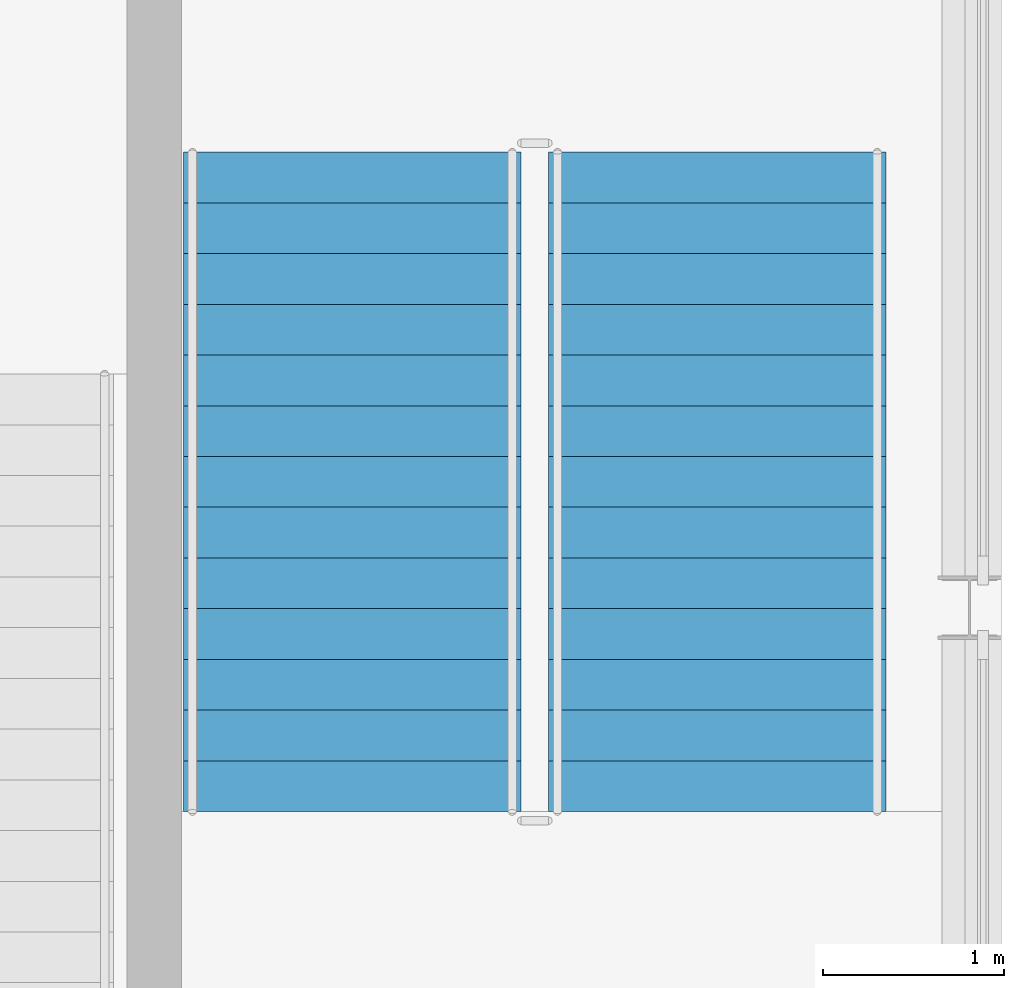
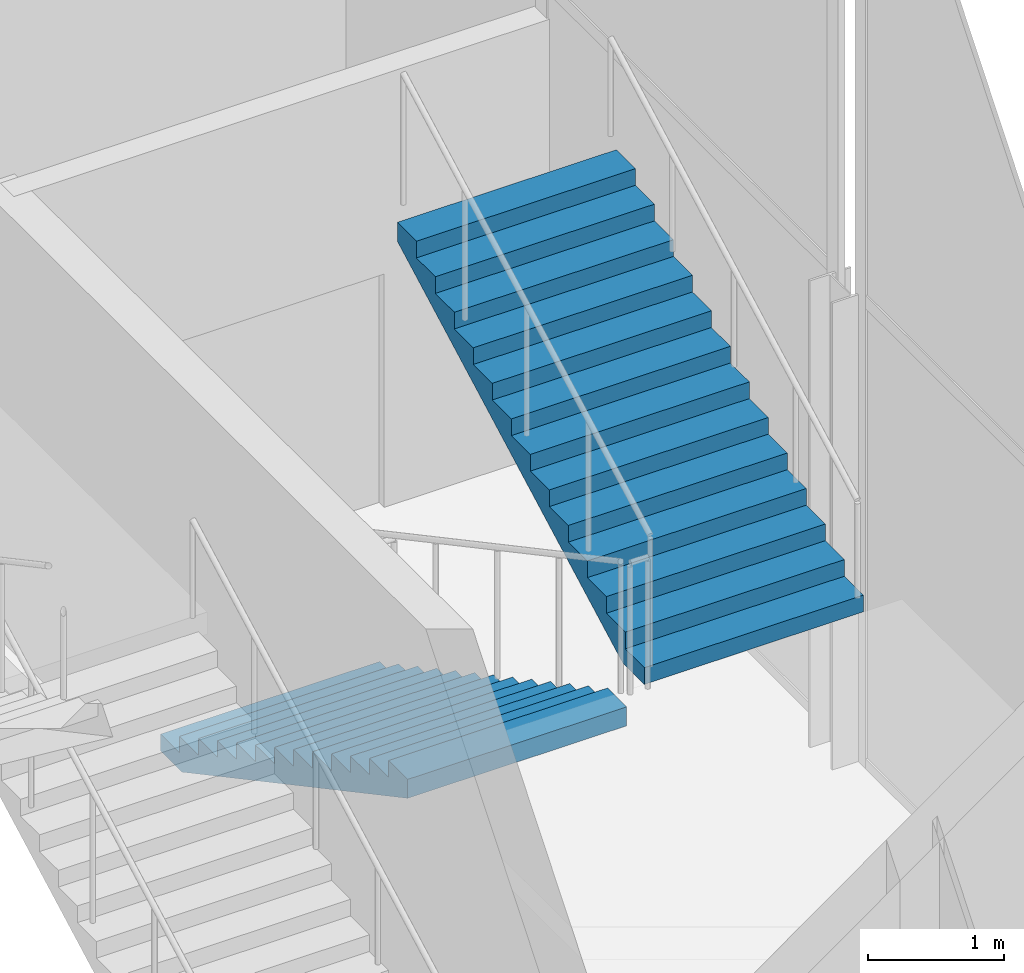
# One storey, part 19 of 23: 2 stair flights, 1 element without a shape of its own.
"""IFC4 building model written with IfcOpenShell, lengths in metres."""

from ifc_helpers import new_model, si_unit, direction, frame, origin, place, context, subcontext, project, spatial, polygons, material, type_object, element, aggregate, save


model = new_model("IFC4")

# Units and contexts
model_context = context("Model", 3, precision=1e-05, world=origin(), true_north=direction((0.0, 1.0)))
body_context = subcontext(model_context, "Body", "Model", "MODEL_VIEW")
ifc_project = project(units=[si_unit("LENGTHUNIT", "METRE"), si_unit("AREAUNIT", "SQUARE_METRE"), si_unit("VOLUMEUNIT", "CUBIC_METRE"), si_unit("PLANEANGLEUNIT", "RADIAN"), si_unit("MASSUNIT", "GRAM", prefix="KILO")], contexts=[model_context])

# Site, building, storey
site_placement = place(None, origin())
site = spatial("IfcSite", under=ifc_project, at=site_placement, CompositionType="ELEMENT")
building_placement = place(site_placement, origin())
building = spatial("IfcBuilding", under=site, at=building_placement, Name="Caravel Reach Hotel and Residences", CompositionType="ELEMENT")
storey_placement = place(building_placement, frame((0.0, 0.0, 312.800048828125)))
storey = spatial("IfcBuildingStorey", under=building, at=storey_placement, Name="L79", CompositionType="ELEMENT", Elevation=312.800048828125)

# Stair, stair flights
ifc_material_1 = material(Name="Concrete C40", Category="concrete")
stair_type = type_object("IfcStairType", Name="Core stair", PredefinedType="HALF_TURN_STAIR", material=ifc_material_1)
stair_placement = place(storey_placement, origin())
stair = element("IfcStair", 1, at=stair_placement, inside=storey, type_object=stair_type, Name="L79 Exit stair C", PredefinedType="HALF_TURN_STAIR")
ifc_material_2 = material(Name="Concrete C40", Category="concrete")
stair_flight_type = type_object("IfcStairFlightType", Name="Core stair flight", PredefinedType="STRAIGHT", material=ifc_material_2)
stair_flight_1_placement = place(storey_placement, frame((46.092529296875, 29.514892578125, 0.0), z_axis=(0.0, 0.0, 1.0), x_axis=(0.0, -1.0, 0.0)))
stair_flight_1 = element("IfcStairFlight", 2, at=stair_flight_1_placement, type_object=stair_flight_type, Name="ST-C flight 1", NumberOfRisers=14, NumberOfTreads=13, PredefinedType="STRAIGHT", RiserHeight=0.15, TreadLength=0.28, context=body_context, shape_type="Tessellation", body=[
    polygons([(0.3174408016601862, 0.9324951171875, 0.0), (0.3174408016601862, 0.6216634114583333, 0.0), (0.3174408016601862, 0.31083170572916663, 0.0), (0.3174408016601862, 0.0, 0.0), (0.3174408016601862, -0.31083170572916674, 0.0), (0.3174408016601862, -0.6216634114583333, 0.0), (0.3174408016601862, -0.9324951171875, 0.0), (3.6410000000000005, 0.9324951171875, 1.7799424276820432), (3.6410000000000005, 0.6216634114583333, 1.7799424276820432), (3.6410000000000005, 0.31083170572916663, 1.7799424276820432), (3.6410000000000005, 0.0, 1.7799424276820432), (3.6410000000000005, -0.31083170572916674, 1.7799424276820432), (3.6410000000000005, -0.6216634114583333, 1.7799424276820432), (3.6410000000000005, -0.9324951171875, 1.7799424276820432), (3.6410000000000005, 0.9324951171875, 1.95), (3.6410000000000005, 0.6216634114583333, 1.95), (3.6410000000000005, 0.31083170572916663, 1.95), (3.6410000000000005, 0.0, 1.95), (3.6410000000000005, -0.31083170572916674, 1.95), (3.6410000000000005, -0.6216634114583333, 1.95), (3.6410000000000005, -0.9324951171875, 1.95), (3.3600000000000003, 0.9324951171875, 1.95), (3.3600000000000003, 0.6216634114583333, 1.95), (3.3600000000000003, 0.31083170572916663, 1.95), (3.3600000000000003, 0.0, 1.95), (3.3600000000000003, -0.31083170572916674, 1.95), (3.3600000000000003, -0.6216634114583333, 1.95), (3.3600000000000003, -0.9324951171875, 1.95), (3.3600000000000003, 0.9324951171875, 1.7999999999999998), (3.3600000000000003, 0.6216634114583333, 1.7999999999999998), (3.3600000000000003, 0.31083170572916663, 1.7999999999999998), (3.3600000000000003, 0.0, 1.7999999999999998), (3.3600000000000003, -0.31083170572916674, 1.7999999999999998), (3.3600000000000003, -0.6216634114583333, 1.7999999999999998), (3.3600000000000003, -0.9324951171875, 1.7999999999999998), (3.08, 0.9324951171875, 1.7999999999999998), (3.08, 0.6216634114583333, 1.7999999999999998), (3.08, 0.31083170572916663, 1.7999999999999998), (3.08, 0.0, 1.7999999999999998), (3.08, -0.31083170572916674, 1.7999999999999998), (3.08, -0.6216634114583333, 1.7999999999999998), (3.08, -0.9324951171875, 1.7999999999999998), (3.08, 0.9324951171875, 1.65), (3.08, 0.6216634114583333, 1.65), (3.08, 0.31083170572916663, 1.65), (3.08, 0.0, 1.65), (3.08, -0.31083170572916674, 1.65), (3.08, -0.6216634114583333, 1.65), (3.08, -0.9324951171875, 1.65), (2.8000000000000003, 0.9324951171875, 1.65), (2.8000000000000003, 0.6216634114583333, 1.65), (2.8000000000000003, 0.31083170572916663, 1.65), (2.8000000000000003, 0.0, 1.65), (2.8000000000000003, -0.31083170572916674, 1.65), (2.8000000000000003, -0.6216634114583333, 1.65), (2.8000000000000003, -0.9324951171875, 1.65), (2.8000000000000003, 0.9324951171875, 1.5), (2.8000000000000003, 0.6216634114583333, 1.5), (2.8000000000000003, 0.31083170572916663, 1.5), (2.8000000000000003, 0.0, 1.5), (2.8000000000000003, -0.31083170572916674, 1.5), (2.8000000000000003, -0.6216634114583333, 1.5), (2.8000000000000003, -0.9324951171875, 1.5), (2.5200000000000005, 0.9324951171875, 1.5), (2.5200000000000005, 0.6216634114583333, 1.5), (2.5200000000000005, 0.31083170572916663, 1.5), (2.5200000000000005, 0.0, 1.5), (2.5200000000000005, -0.31083170572916674, 1.5), (2.5200000000000005, -0.6216634114583333, 1.5), (2.5200000000000005, -0.9324951171875, 1.5), (2.5200000000000005, 0.9324951171875, 1.3499999999999999), (2.5200000000000005, 0.6216634114583333, 1.3499999999999999), (2.5200000000000005, 0.31083170572916663, 1.3499999999999999), (2.5200000000000005, 0.0, 1.3499999999999999), (2.5200000000000005, -0.31083170572916674, 1.3499999999999999), (2.5200000000000005, -0.6216634114583333, 1.3499999999999999), (2.5200000000000005, -0.9324951171875, 1.3499999999999999), (2.24, 0.9324951171875, 1.3499999999999999), (2.24, 0.6216634114583333, 1.3499999999999999), (2.24, 0.31083170572916663, 1.3499999999999999), (2.24, 0.0, 1.3499999999999999), (2.24, -0.31083170572916674, 1.3499999999999999), (2.24, -0.6216634114583333, 1.3499999999999999), (2.24, -0.9324951171875, 1.3499999999999999), (2.24, 0.9324951171875, 1.2), (2.24, 0.6216634114583333, 1.2), (2.24, 0.31083170572916663, 1.2), (2.24, 0.0, 1.2), (2.24, -0.31083170572916674, 1.2), (2.24, -0.6216634114583333, 1.2), (2.24, -0.9324951171875, 1.2), (1.9600000000000002, 0.9324951171875, 1.2), (1.9600000000000002, 0.6216634114583333, 1.2), (1.9600000000000002, 0.31083170572916663, 1.2), (1.9600000000000002, 0.0, 1.2), (1.9600000000000002, -0.31083170572916674, 1.2), (1.9600000000000002, -0.6216634114583333, 1.2), (1.9600000000000002, -0.9324951171875, 1.2), (1.9600000000000002, 0.9324951171875, 1.05), (1.9600000000000002, 0.6216634114583333, 1.05), (1.9600000000000002, 0.31083170572916663, 1.05), (1.9600000000000002, 0.0, 1.05), (1.9600000000000002, -0.31083170572916674, 1.05), (1.9600000000000002, -0.6216634114583333, 1.05), (1.9600000000000002, -0.9324951171875, 1.05), (1.6800000000000002, 0.9324951171875, 1.05), (1.6800000000000002, 0.6216634114583333, 1.05), (1.6800000000000002, 0.31083170572916663, 1.05), (1.6800000000000002, 0.0, 1.05), (1.6800000000000002, -0.31083170572916674, 1.05), (1.6800000000000002, -0.6216634114583333, 1.05), (1.6800000000000002, -0.9324951171875, 1.05), (1.6800000000000002, 0.9324951171875, 0.8999999999999999), (1.6800000000000002, 0.6216634114583333, 0.8999999999999999), (1.6800000000000002, 0.31083170572916663, 0.8999999999999999), (1.6800000000000002, 0.0, 0.8999999999999999), (1.6800000000000002, -0.31083170572916674, 0.8999999999999999), (1.6800000000000002, -0.6216634114583333, 0.8999999999999999), (1.6800000000000002, -0.9324951171875, 0.8999999999999999), (1.4000000000000001, 0.9324951171875, 0.8999999999999999), (1.4000000000000001, 0.6216634114583333, 0.8999999999999999), (1.4000000000000001, 0.31083170572916663, 0.8999999999999999), (1.4000000000000001, 0.0, 0.8999999999999999), (1.4000000000000001, -0.31083170572916674, 0.8999999999999999), (1.4000000000000001, -0.6216634114583333, 0.8999999999999999), (1.4000000000000001, -0.9324951171875, 0.8999999999999999), (1.4000000000000001, 0.9324951171875, 0.75), (1.4000000000000001, 0.6216634114583333, 0.75), (1.4000000000000001, 0.31083170572916663, 0.75), (1.4000000000000001, 0.0, 0.75), (1.4000000000000001, -0.31083170572916674, 0.75), (1.4000000000000001, -0.6216634114583333, 0.75), (1.4000000000000001, -0.9324951171875, 0.75), (1.12, 0.9324951171875, 0.75), (1.12, 0.6216634114583333, 0.75), (1.12, 0.31083170572916663, 0.75), (1.12, 0.0, 0.75), (1.12, -0.31083170572916674, 0.75), (1.12, -0.6216634114583333, 0.75), (1.12, -0.9324951171875, 0.75), (1.12, 0.9324951171875, 0.6), (1.12, 0.6216634114583333, 0.6), (1.12, 0.31083170572916663, 0.6), (1.12, 0.0, 0.6), (1.12, -0.31083170572916674, 0.6), (1.12, -0.6216634114583333, 0.6), (1.12, -0.9324951171875, 0.6), (0.8400000000000001, 0.9324951171875, 0.6), (0.8400000000000001, 0.6216634114583333, 0.6), (0.8400000000000001, 0.31083170572916663, 0.6), (0.8400000000000001, 0.0, 0.6), (0.8400000000000001, -0.31083170572916674, 0.6), (0.8400000000000001, -0.6216634114583333, 0.6), (0.8400000000000001, -0.9324951171875, 0.6), (0.8400000000000001, 0.9324951171875, 0.44999999999999996), (0.8400000000000001, 0.6216634114583333, 0.44999999999999996), (0.8400000000000001, 0.31083170572916663, 0.44999999999999996), (0.8400000000000001, 0.0, 0.44999999999999996), (0.8400000000000001, -0.31083170572916674, 0.44999999999999996), (0.8400000000000001, -0.6216634114583333, 0.44999999999999996), (0.8400000000000001, -0.9324951171875, 0.44999999999999996), (0.56, 0.9324951171875, 0.44999999999999996), (0.56, 0.6216634114583333, 0.44999999999999996), (0.56, 0.31083170572916663, 0.44999999999999996), (0.56, 0.0, 0.44999999999999996), (0.56, -0.31083170572916674, 0.44999999999999996), (0.56, -0.6216634114583333, 0.44999999999999996), (0.56, -0.9324951171875, 0.44999999999999996), (0.56, 0.9324951171875, 0.3), (0.56, 0.6216634114583333, 0.3), (0.56, 0.31083170572916663, 0.3), (0.56, 0.0, 0.3), (0.56, -0.31083170572916674, 0.3), (0.56, -0.6216634114583333, 0.3), (0.56, -0.9324951171875, 0.3), (0.28, 0.9324951171875, 0.3), (0.28, 0.6216634114583333, 0.3), (0.28, 0.31083170572916663, 0.3), (0.28, 0.0, 0.3), (0.28, -0.31083170572916674, 0.3), (0.28, -0.6216634114583333, 0.3), (0.28, -0.9324951171875, 0.3), (0.28, 0.9324951171875, 0.15), (0.28, 0.6216634114583333, 0.15), (0.28, 0.31083170572916663, 0.15), (0.28, 0.0, 0.15), (0.28, -0.31083170572916674, 0.15), (0.28, -0.6216634114583333, 0.15), (0.28, -0.9324951171875, 0.15), (-0.001, 0.9324951171875, 0.15), (-0.001, 0.6216634114583333, 0.15), (-0.001, 0.31083170572916663, 0.15), (-0.001, 0.0, 0.15), (-0.001, -0.31083170572916674, 0.15), (-0.001, -0.6216634114583333, 0.15), (-0.001, -0.9324951171875, 0.15), (-0.001, 0.9324951171875, 0.0), (-0.001, 0.6216634114583333, 0.0), (-0.001, 0.31083170572916663, 0.0), (-0.001, 0.0, 0.0), (-0.001, -0.31083170572916674, 0.0), (-0.001, -0.6216634114583333, 0.0), (-0.001, -0.9324951171875, 0.0)], [[[197, 190, 183, 176, 169, 162, 155, 148, 141, 134, 127, 120, 113, 106, 99, 92, 85, 78, 71, 64, 57, 50, 43, 36, 29, 22, 15, 8, 1]], [[7, 14, 21, 28, 35, 42, 49, 56, 63, 70, 77, 84, 91, 98, 105, 112, 119, 126, 133, 140, 147, 154, 161, 168, 175, 182, 189, 196, 203]], [[1, 8, 9, 2]], [[2, 9, 10, 3]], [[3, 10, 11, 4]], [[4, 11, 12, 5]], [[5, 12, 13, 6]], [[6, 13, 14, 7]], [[8, 15, 16, 9]], [[9, 16, 17, 10]], [[10, 17, 18, 11]], [[11, 18, 19, 12]], [[12, 19, 20, 13]], [[13, 20, 21, 14]], [[15, 22, 23, 16]], [[16, 23, 24, 17]], [[17, 24, 25, 18]], [[18, 25, 26, 19]], [[19, 26, 27, 20]], [[20, 27, 28, 21]], [[22, 29, 30, 23]], [[23, 30, 31, 24]], [[24, 31, 32, 25]], [[25, 32, 33, 26]], [[26, 33, 34, 27]], [[27, 34, 35, 28]], [[29, 36, 37, 30]], [[30, 37, 38, 31]], [[31, 38, 39, 32]], [[32, 39, 40, 33]], [[33, 40, 41, 34]], [[34, 41, 42, 35]], [[36, 43, 44, 37]], [[37, 44, 45, 38]], [[38, 45, 46, 39]], [[39, 46, 47, 40]], [[40, 47, 48, 41]], [[41, 48, 49, 42]], [[43, 50, 51, 44]], [[44, 51, 52, 45]], [[45, 52, 53, 46]], [[46, 53, 54, 47]], [[47, 54, 55, 48]], [[48, 55, 56, 49]], [[50, 57, 58, 51]], [[51, 58, 59, 52]], [[52, 59, 60, 53]], [[53, 60, 61, 54]], [[54, 61, 62, 55]], [[55, 62, 63, 56]], [[57, 64, 65, 58]], [[58, 65, 66, 59]], [[59, 66, 67, 60]], [[60, 67, 68, 61]], [[61, 68, 69, 62]], [[62, 69, 70, 63]], [[64, 71, 72, 65]], [[65, 72, 73, 66]], [[66, 73, 74, 67]], [[67, 74, 75, 68]], [[68, 75, 76, 69]], [[69, 76, 77, 70]], [[71, 78, 79, 72]], [[72, 79, 80, 73]], [[73, 80, 81, 74]], [[74, 81, 82, 75]], [[75, 82, 83, 76]], [[76, 83, 84, 77]], [[78, 85, 86, 79]], [[79, 86, 87, 80]], [[80, 87, 88, 81]], [[81, 88, 89, 82]], [[82, 89, 90, 83]], [[83, 90, 91, 84]], [[85, 92, 93, 86]], [[86, 93, 94, 87]], [[87, 94, 95, 88]], [[88, 95, 96, 89]], [[89, 96, 97, 90]], [[90, 97, 98, 91]], [[92, 99, 100, 93]], [[93, 100, 101, 94]], [[94, 101, 102, 95]], [[95, 102, 103, 96]], [[96, 103, 104, 97]], [[97, 104, 105, 98]], [[99, 106, 107, 100]], [[100, 107, 108, 101]], [[101, 108, 109, 102]], [[102, 109, 110, 103]], [[103, 110, 111, 104]], [[104, 111, 112, 105]], [[106, 113, 114, 107]], [[107, 114, 115, 108]], [[108, 115, 116, 109]], [[109, 116, 117, 110]], [[110, 117, 118, 111]], [[111, 118, 119, 112]], [[113, 120, 121, 114]], [[114, 121, 122, 115]], [[115, 122, 123, 116]], [[116, 123, 124, 117]], [[117, 124, 125, 118]], [[118, 125, 126, 119]], [[120, 127, 128, 121]], [[121, 128, 129, 122]], [[122, 129, 130, 123]], [[123, 130, 131, 124]], [[124, 131, 132, 125]], [[125, 132, 133, 126]], [[127, 134, 135, 128]], [[128, 135, 136, 129]], [[129, 136, 137, 130]], [[130, 137, 138, 131]], [[131, 138, 139, 132]], [[132, 139, 140, 133]], [[134, 141, 142, 135]], [[135, 142, 143, 136]], [[136, 143, 144, 137]], [[137, 144, 145, 138]], [[138, 145, 146, 139]], [[139, 146, 147, 140]], [[141, 148, 149, 142]], [[142, 149, 150, 143]], [[143, 150, 151, 144]], [[144, 151, 152, 145]], [[145, 152, 153, 146]], [[146, 153, 154, 147]], [[148, 155, 156, 149]], [[149, 156, 157, 150]], [[150, 157, 158, 151]], [[151, 158, 159, 152]], [[152, 159, 160, 153]], [[153, 160, 161, 154]], [[155, 162, 163, 156]], [[156, 163, 164, 157]], [[157, 164, 165, 158]], [[158, 165, 166, 159]], [[159, 166, 167, 160]], [[160, 167, 168, 161]], [[162, 169, 170, 163]], [[163, 170, 171, 164]], [[164, 171, 172, 165]], [[165, 172, 173, 166]], [[166, 173, 174, 167]], [[167, 174, 175, 168]], [[169, 176, 177, 170]], [[170, 177, 178, 171]], [[171, 178, 179, 172]], [[172, 179, 180, 173]], [[173, 180, 181, 174]], [[174, 181, 182, 175]], [[176, 183, 184, 177]], [[177, 184, 185, 178]], [[178, 185, 186, 179]], [[179, 186, 187, 180]], [[180, 187, 188, 181]], [[181, 188, 189, 182]], [[183, 190, 191, 184]], [[184, 191, 192, 185]], [[185, 192, 193, 186]], [[186, 193, 194, 187]], [[187, 194, 195, 188]], [[188, 195, 196, 189]], [[190, 197, 198, 191]], [[191, 198, 199, 192]], [[192, 199, 200, 193]], [[193, 200, 201, 194]], [[194, 201, 202, 195]], [[195, 202, 203, 196]], [[197, 1, 2, 198]], [[198, 2, 3, 199]], [[199, 3, 4, 200]], [[200, 4, 5, 201]], [[201, 5, 6, 202]], [[202, 6, 7, 203]]], closed=True),
])
stair_flight_2_placement = place(storey_placement, frame((48.107421875, 25.875, 2.099853515625), z_axis=(0.0, 0.0, 1.0), x_axis=(0.0, 1.0, 0.0)))
stair_flight_2 = element("IfcStairFlight", 3, at=stair_flight_2_placement, type_object=stair_flight_type, Name="ST-C flight 2", NumberOfRisers=14, NumberOfTreads=13, PredefinedType="STRAIGHT", RiserHeight=0.15, TreadLength=0.28, context=body_context, shape_type="Tessellation", body=[
    polygons([(0.3174408016601862, 0.9324951171875, 0.0), (0.3174408016601862, 0.6216634114583333, 0.0), (0.3174408016601862, 0.31083170572916663, 0.0), (0.3174408016601862, 0.0, 0.0), (0.3174408016601862, -0.31083170572916674, 0.0), (0.3174408016601862, -0.6216634114583333, 0.0), (0.3174408016601862, -0.9324951171875, 0.0), (3.6410000000000005, 0.9324951171875, 1.7799424276820432), (3.6410000000000005, 0.6216634114583333, 1.7799424276820432), (3.6410000000000005, 0.31083170572916663, 1.7799424276820432), (3.6410000000000005, 0.0, 1.7799424276820432), (3.6410000000000005, -0.31083170572916674, 1.7799424276820432), (3.6410000000000005, -0.6216634114583333, 1.7799424276820432), (3.6410000000000005, -0.9324951171875, 1.7799424276820432), (3.6410000000000005, 0.9324951171875, 1.95), (3.6410000000000005, 0.6216634114583333, 1.95), (3.6410000000000005, 0.31083170572916663, 1.95), (3.6410000000000005, 0.0, 1.95), (3.6410000000000005, -0.31083170572916674, 1.95), (3.6410000000000005, -0.6216634114583333, 1.95), (3.6410000000000005, -0.9324951171875, 1.95), (3.3600000000000003, 0.9324951171875, 1.95), (3.3600000000000003, 0.6216634114583333, 1.95), (3.3600000000000003, 0.31083170572916663, 1.95), (3.3600000000000003, 0.0, 1.95), (3.3600000000000003, -0.31083170572916674, 1.95), (3.3600000000000003, -0.6216634114583333, 1.95), (3.3600000000000003, -0.9324951171875, 1.95), (3.3600000000000003, 0.9324951171875, 1.7999999999999998), (3.3600000000000003, 0.6216634114583333, 1.7999999999999998), (3.3600000000000003, 0.31083170572916663, 1.7999999999999998), (3.3600000000000003, 0.0, 1.7999999999999998), (3.3600000000000003, -0.31083170572916674, 1.7999999999999998), (3.3600000000000003, -0.6216634114583333, 1.7999999999999998), (3.3600000000000003, -0.9324951171875, 1.7999999999999998), (3.08, 0.9324951171875, 1.7999999999999998), (3.08, 0.6216634114583333, 1.7999999999999998), (3.08, 0.31083170572916663, 1.7999999999999998), (3.08, 0.0, 1.7999999999999998), (3.08, -0.31083170572916674, 1.7999999999999998), (3.08, -0.6216634114583333, 1.7999999999999998), (3.08, -0.9324951171875, 1.7999999999999998), (3.08, 0.9324951171875, 1.65), (3.08, 0.6216634114583333, 1.65), (3.08, 0.31083170572916663, 1.65), (3.08, 0.0, 1.65), (3.08, -0.31083170572916674, 1.65), (3.08, -0.6216634114583333, 1.65), (3.08, -0.9324951171875, 1.65), (2.8000000000000003, 0.9324951171875, 1.65), (2.8000000000000003, 0.6216634114583333, 1.65), (2.8000000000000003, 0.31083170572916663, 1.65), (2.8000000000000003, 0.0, 1.65), (2.8000000000000003, -0.31083170572916674, 1.65), (2.8000000000000003, -0.6216634114583333, 1.65), (2.8000000000000003, -0.9324951171875, 1.65), (2.8000000000000003, 0.9324951171875, 1.5), (2.8000000000000003, 0.6216634114583333, 1.5), (2.8000000000000003, 0.31083170572916663, 1.5), (2.8000000000000003, 0.0, 1.5), (2.8000000000000003, -0.31083170572916674, 1.5), (2.8000000000000003, -0.6216634114583333, 1.5), (2.8000000000000003, -0.9324951171875, 1.5), (2.5200000000000005, 0.9324951171875, 1.5), (2.5200000000000005, 0.6216634114583333, 1.5), (2.5200000000000005, 0.31083170572916663, 1.5), (2.5200000000000005, 0.0, 1.5), (2.5200000000000005, -0.31083170572916674, 1.5), (2.5200000000000005, -0.6216634114583333, 1.5), (2.5200000000000005, -0.9324951171875, 1.5), (2.5200000000000005, 0.9324951171875, 1.3499999999999999), (2.5200000000000005, 0.6216634114583333, 1.3499999999999999), (2.5200000000000005, 0.31083170572916663, 1.3499999999999999), (2.5200000000000005, 0.0, 1.3499999999999999), (2.5200000000000005, -0.31083170572916674, 1.3499999999999999), (2.5200000000000005, -0.6216634114583333, 1.3499999999999999), (2.5200000000000005, -0.9324951171875, 1.3499999999999999), (2.24, 0.9324951171875, 1.3499999999999999), (2.24, 0.6216634114583333, 1.3499999999999999), (2.24, 0.31083170572916663, 1.3499999999999999), (2.24, 0.0, 1.3499999999999999), (2.24, -0.31083170572916674, 1.3499999999999999), (2.24, -0.6216634114583333, 1.3499999999999999), (2.24, -0.9324951171875, 1.3499999999999999), (2.24, 0.9324951171875, 1.2), (2.24, 0.6216634114583333, 1.2), (2.24, 0.31083170572916663, 1.2), (2.24, 0.0, 1.2), (2.24, -0.31083170572916674, 1.2), (2.24, -0.6216634114583333, 1.2), (2.24, -0.9324951171875, 1.2), (1.9600000000000002, 0.9324951171875, 1.2), (1.9600000000000002, 0.6216634114583333, 1.2), (1.9600000000000002, 0.31083170572916663, 1.2), (1.9600000000000002, 0.0, 1.2), (1.9600000000000002, -0.31083170572916674, 1.2), (1.9600000000000002, -0.6216634114583333, 1.2), (1.9600000000000002, -0.9324951171875, 1.2), (1.9600000000000002, 0.9324951171875, 1.05), (1.9600000000000002, 0.6216634114583333, 1.05), (1.9600000000000002, 0.31083170572916663, 1.05), (1.9600000000000002, 0.0, 1.05), (1.9600000000000002, -0.31083170572916674, 1.05), (1.9600000000000002, -0.6216634114583333, 1.05), (1.9600000000000002, -0.9324951171875, 1.05), (1.6800000000000002, 0.9324951171875, 1.05), (1.6800000000000002, 0.6216634114583333, 1.05), (1.6800000000000002, 0.31083170572916663, 1.05), (1.6800000000000002, 0.0, 1.05), (1.6800000000000002, -0.31083170572916674, 1.05), (1.6800000000000002, -0.6216634114583333, 1.05), (1.6800000000000002, -0.9324951171875, 1.05), (1.6800000000000002, 0.9324951171875, 0.8999999999999999), (1.6800000000000002, 0.6216634114583333, 0.8999999999999999), (1.6800000000000002, 0.31083170572916663, 0.8999999999999999), (1.6800000000000002, 0.0, 0.8999999999999999), (1.6800000000000002, -0.31083170572916674, 0.8999999999999999), (1.6800000000000002, -0.6216634114583333, 0.8999999999999999), (1.6800000000000002, -0.9324951171875, 0.8999999999999999), (1.4000000000000001, 0.9324951171875, 0.8999999999999999), (1.4000000000000001, 0.6216634114583333, 0.8999999999999999), (1.4000000000000001, 0.31083170572916663, 0.8999999999999999), (1.4000000000000001, 0.0, 0.8999999999999999), (1.4000000000000001, -0.31083170572916674, 0.8999999999999999), (1.4000000000000001, -0.6216634114583333, 0.8999999999999999), (1.4000000000000001, -0.9324951171875, 0.8999999999999999), (1.4000000000000001, 0.9324951171875, 0.75), (1.4000000000000001, 0.6216634114583333, 0.75), (1.4000000000000001, 0.31083170572916663, 0.75), (1.4000000000000001, 0.0, 0.75), (1.4000000000000001, -0.31083170572916674, 0.75), (1.4000000000000001, -0.6216634114583333, 0.75), (1.4000000000000001, -0.9324951171875, 0.75), (1.12, 0.9324951171875, 0.75), (1.12, 0.6216634114583333, 0.75), (1.12, 0.31083170572916663, 0.75), (1.12, 0.0, 0.75), (1.12, -0.31083170572916674, 0.75), (1.12, -0.6216634114583333, 0.75), (1.12, -0.9324951171875, 0.75), (1.12, 0.9324951171875, 0.6), (1.12, 0.6216634114583333, 0.6), (1.12, 0.31083170572916663, 0.6), (1.12, 0.0, 0.6), (1.12, -0.31083170572916674, 0.6), (1.12, -0.6216634114583333, 0.6), (1.12, -0.9324951171875, 0.6), (0.8400000000000001, 0.9324951171875, 0.6), (0.8400000000000001, 0.6216634114583333, 0.6), (0.8400000000000001, 0.31083170572916663, 0.6), (0.8400000000000001, 0.0, 0.6), (0.8400000000000001, -0.31083170572916674, 0.6), (0.8400000000000001, -0.6216634114583333, 0.6), (0.8400000000000001, -0.9324951171875, 0.6), (0.8400000000000001, 0.9324951171875, 0.44999999999999996), (0.8400000000000001, 0.6216634114583333, 0.44999999999999996), (0.8400000000000001, 0.31083170572916663, 0.44999999999999996), (0.8400000000000001, 0.0, 0.44999999999999996), (0.8400000000000001, -0.31083170572916674, 0.44999999999999996), (0.8400000000000001, -0.6216634114583333, 0.44999999999999996), (0.8400000000000001, -0.9324951171875, 0.44999999999999996), (0.56, 0.9324951171875, 0.44999999999999996), (0.56, 0.6216634114583333, 0.44999999999999996), (0.56, 0.31083170572916663, 0.44999999999999996), (0.56, 0.0, 0.44999999999999996), (0.56, -0.31083170572916674, 0.44999999999999996), (0.56, -0.6216634114583333, 0.44999999999999996), (0.56, -0.9324951171875, 0.44999999999999996), (0.56, 0.9324951171875, 0.3), (0.56, 0.6216634114583333, 0.3), (0.56, 0.31083170572916663, 0.3), (0.56, 0.0, 0.3), (0.56, -0.31083170572916674, 0.3), (0.56, -0.6216634114583333, 0.3), (0.56, -0.9324951171875, 0.3), (0.28, 0.9324951171875, 0.3), (0.28, 0.6216634114583333, 0.3), (0.28, 0.31083170572916663, 0.3), (0.28, 0.0, 0.3), (0.28, -0.31083170572916674, 0.3), (0.28, -0.6216634114583333, 0.3), (0.28, -0.9324951171875, 0.3), (0.28, 0.9324951171875, 0.15), (0.28, 0.6216634114583333, 0.15), (0.28, 0.31083170572916663, 0.15), (0.28, 0.0, 0.15), (0.28, -0.31083170572916674, 0.15), (0.28, -0.6216634114583333, 0.15), (0.28, -0.9324951171875, 0.15), (-0.001, 0.9324951171875, 0.15), (-0.001, 0.6216634114583333, 0.15), (-0.001, 0.31083170572916663, 0.15), (-0.001, 0.0, 0.15), (-0.001, -0.31083170572916674, 0.15), (-0.001, -0.6216634114583333, 0.15), (-0.001, -0.9324951171875, 0.15), (-0.001, 0.9324951171875, 0.0), (-0.001, 0.6216634114583333, 0.0), (-0.001, 0.31083170572916663, 0.0), (-0.001, 0.0, 0.0), (-0.001, -0.31083170572916674, 0.0), (-0.001, -0.6216634114583333, 0.0), (-0.001, -0.9324951171875, 0.0)], [[[197, 190, 183, 176, 169, 162, 155, 148, 141, 134, 127, 120, 113, 106, 99, 92, 85, 78, 71, 64, 57, 50, 43, 36, 29, 22, 15, 8, 1]], [[7, 14, 21, 28, 35, 42, 49, 56, 63, 70, 77, 84, 91, 98, 105, 112, 119, 126, 133, 140, 147, 154, 161, 168, 175, 182, 189, 196, 203]], [[1, 8, 9, 2]], [[2, 9, 10, 3]], [[3, 10, 11, 4]], [[4, 11, 12, 5]], [[5, 12, 13, 6]], [[6, 13, 14, 7]], [[8, 15, 16, 9]], [[9, 16, 17, 10]], [[10, 17, 18, 11]], [[11, 18, 19, 12]], [[12, 19, 20, 13]], [[13, 20, 21, 14]], [[15, 22, 23, 16]], [[16, 23, 24, 17]], [[17, 24, 25, 18]], [[18, 25, 26, 19]], [[19, 26, 27, 20]], [[20, 27, 28, 21]], [[22, 29, 30, 23]], [[23, 30, 31, 24]], [[24, 31, 32, 25]], [[25, 32, 33, 26]], [[26, 33, 34, 27]], [[27, 34, 35, 28]], [[29, 36, 37, 30]], [[30, 37, 38, 31]], [[31, 38, 39, 32]], [[32, 39, 40, 33]], [[33, 40, 41, 34]], [[34, 41, 42, 35]], [[36, 43, 44, 37]], [[37, 44, 45, 38]], [[38, 45, 46, 39]], [[39, 46, 47, 40]], [[40, 47, 48, 41]], [[41, 48, 49, 42]], [[43, 50, 51, 44]], [[44, 51, 52, 45]], [[45, 52, 53, 46]], [[46, 53, 54, 47]], [[47, 54, 55, 48]], [[48, 55, 56, 49]], [[50, 57, 58, 51]], [[51, 58, 59, 52]], [[52, 59, 60, 53]], [[53, 60, 61, 54]], [[54, 61, 62, 55]], [[55, 62, 63, 56]], [[57, 64, 65, 58]], [[58, 65, 66, 59]], [[59, 66, 67, 60]], [[60, 67, 68, 61]], [[61, 68, 69, 62]], [[62, 69, 70, 63]], [[64, 71, 72, 65]], [[65, 72, 73, 66]], [[66, 73, 74, 67]], [[67, 74, 75, 68]], [[68, 75, 76, 69]], [[69, 76, 77, 70]], [[71, 78, 79, 72]], [[72, 79, 80, 73]], [[73, 80, 81, 74]], [[74, 81, 82, 75]], [[75, 82, 83, 76]], [[76, 83, 84, 77]], [[78, 85, 86, 79]], [[79, 86, 87, 80]], [[80, 87, 88, 81]], [[81, 88, 89, 82]], [[82, 89, 90, 83]], [[83, 90, 91, 84]], [[85, 92, 93, 86]], [[86, 93, 94, 87]], [[87, 94, 95, 88]], [[88, 95, 96, 89]], [[89, 96, 97, 90]], [[90, 97, 98, 91]], [[92, 99, 100, 93]], [[93, 100, 101, 94]], [[94, 101, 102, 95]], [[95, 102, 103, 96]], [[96, 103, 104, 97]], [[97, 104, 105, 98]], [[99, 106, 107, 100]], [[100, 107, 108, 101]], [[101, 108, 109, 102]], [[102, 109, 110, 103]], [[103, 110, 111, 104]], [[104, 111, 112, 105]], [[106, 113, 114, 107]], [[107, 114, 115, 108]], [[108, 115, 116, 109]], [[109, 116, 117, 110]], [[110, 117, 118, 111]], [[111, 118, 119, 112]], [[113, 120, 121, 114]], [[114, 121, 122, 115]], [[115, 122, 123, 116]], [[116, 123, 124, 117]], [[117, 124, 125, 118]], [[118, 125, 126, 119]], [[120, 127, 128, 121]], [[121, 128, 129, 122]], [[122, 129, 130, 123]], [[123, 130, 131, 124]], [[124, 131, 132, 125]], [[125, 132, 133, 126]], [[127, 134, 135, 128]], [[128, 135, 136, 129]], [[129, 136, 137, 130]], [[130, 137, 138, 131]], [[131, 138, 139, 132]], [[132, 139, 140, 133]], [[134, 141, 142, 135]], [[135, 142, 143, 136]], [[136, 143, 144, 137]], [[137, 144, 145, 138]], [[138, 145, 146, 139]], [[139, 146, 147, 140]], [[141, 148, 149, 142]], [[142, 149, 150, 143]], [[143, 150, 151, 144]], [[144, 151, 152, 145]], [[145, 152, 153, 146]], [[146, 153, 154, 147]], [[148, 155, 156, 149]], [[149, 156, 157, 150]], [[150, 157, 158, 151]], [[151, 158, 159, 152]], [[152, 159, 160, 153]], [[153, 160, 161, 154]], [[155, 162, 163, 156]], [[156, 163, 164, 157]], [[157, 164, 165, 158]], [[158, 165, 166, 159]], [[159, 166, 167, 160]], [[160, 167, 168, 161]], [[162, 169, 170, 163]], [[163, 170, 171, 164]], [[164, 171, 172, 165]], [[165, 172, 173, 166]], [[166, 173, 174, 167]], [[167, 174, 175, 168]], [[169, 176, 177, 170]], [[170, 177, 178, 171]], [[171, 178, 179, 172]], [[172, 179, 180, 173]], [[173, 180, 181, 174]], [[174, 181, 182, 175]], [[176, 183, 184, 177]], [[177, 184, 185, 178]], [[178, 185, 186, 179]], [[179, 186, 187, 180]], [[180, 187, 188, 181]], [[181, 188, 189, 182]], [[183, 190, 191, 184]], [[184, 191, 192, 185]], [[185, 192, 193, 186]], [[186, 193, 194, 187]], [[187, 194, 195, 188]], [[188, 195, 196, 189]], [[190, 197, 198, 191]], [[191, 198, 199, 192]], [[192, 199, 200, 193]], [[193, 200, 201, 194]], [[194, 201, 202, 195]], [[195, 202, 203, 196]], [[197, 1, 2, 198]], [[198, 2, 3, 199]], [[199, 3, 4, 200]], [[200, 4, 5, 201]], [[201, 5, 6, 202]], [[202, 6, 7, 203]]], closed=True),
])
aggregate(stair, [stair_flight_1, stair_flight_2])

save(model, "model.ifc")
